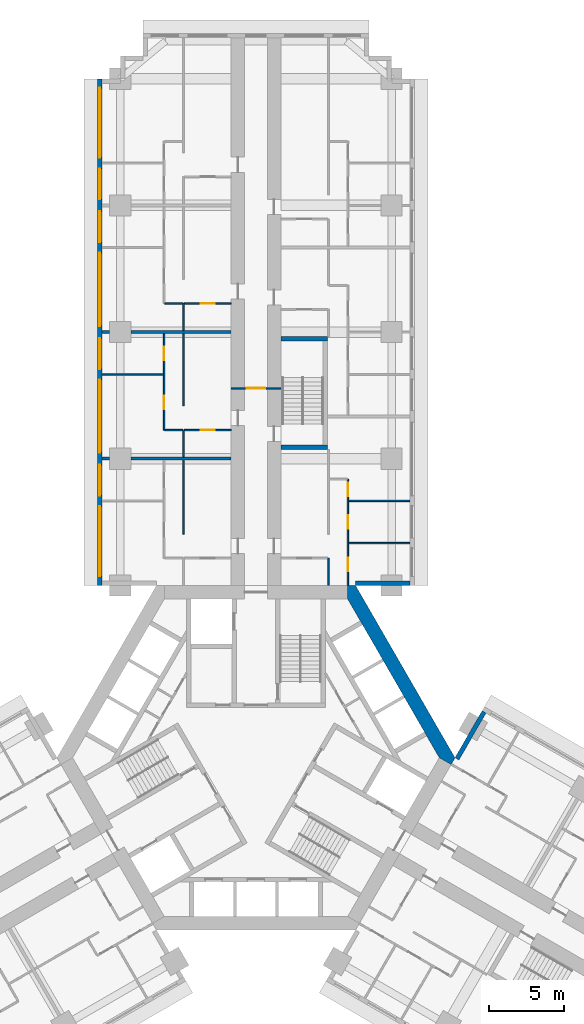
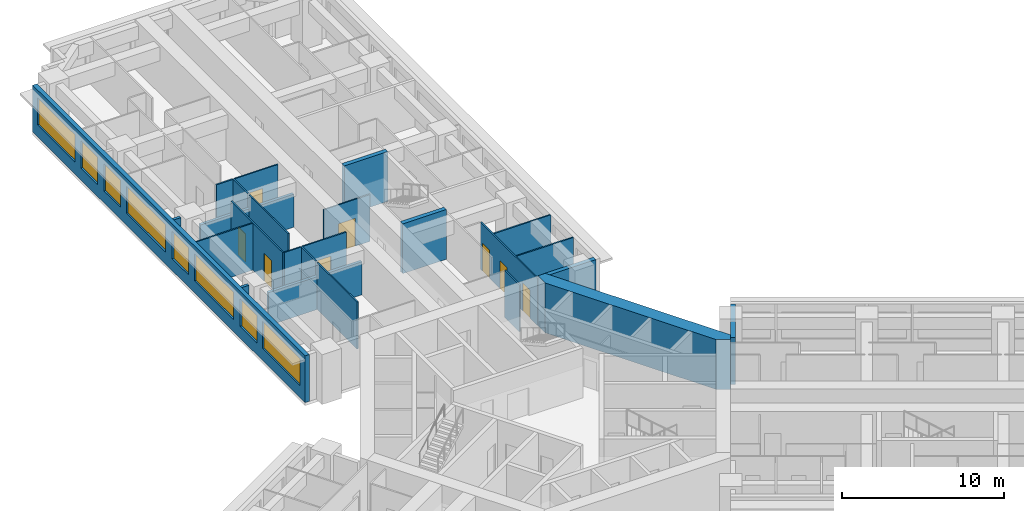
# One storey, part 9 of 16: 25 walls, 8 doors, 8 windows, 16 openings.
"""IFC4 building model written with IfcOpenShell, lengths in metres."""

from ifc_helpers import new_model, si_unit, direction, frame, frame_2d, origin, place, context, subcontext, project, spatial, polyline, rectangle, outline, extrude, material, layer, layer_set, type_object, element, fill, save


model = new_model("IFC4")

# Units and contexts
model_context = context("Model", 3, precision=1e-05, world=origin(), true_north=direction((0.0, 1.0)))
body_context = subcontext(model_context, "Body", "Model", "MODEL_VIEW")
ifc_project = project(units=[si_unit("LENGTHUNIT", "METRE"), si_unit("AREAUNIT", "SQUARE_METRE"), si_unit("VOLUMEUNIT", "CUBIC_METRE"), si_unit("PLANEANGLEUNIT", "RADIAN"), si_unit("MASSUNIT", "GRAM", prefix="KILO")], contexts=[model_context])

# Site, building, storey
site_placement = place(None, origin())
site = spatial("IfcSite", under=ifc_project, at=site_placement, CompositionType="ELEMENT")
building_placement = place(site_placement, origin())
building = spatial("IfcBuilding", under=site, at=building_placement, Name="Impinga Residences", CompositionType="ELEMENT")
storey_placement = place(building_placement, frame((0.0, 0.0, 78.5)))
storey = spatial("IfcBuildingStorey", under=building, at=storey_placement, Name="L19", CompositionType="ELEMENT", Elevation=78.5)

# Wall, opening, door
ifc_material_1 = material(Name="Concrete blockwork", Category="masonry")
ifc_layer_1 = layer(ifc_material_1, 0.10009765625)
ifc_layer_set_1 = layer_set([ifc_layer_1], Name="CP1 core room partition, blockwork 100")
wall_type_1 = type_object("IfcWallType", Name="CP1 core room partition, blockwork 100", PredefinedType="PARTITIONING", material=ifc_layer_set_1)
wall_1_placement = place(storey_placement, frame((-1.64990234375, 24.5, 0.0), z_axis=(0.0, 0.0, 1.0), x_axis=(1.0, 0.0, 0.0)))
wall_1 = element("IfcWall", 1, at=wall_1_placement, inside=storey, type_object=wall_type_1, Name="Core room partition, blockwork L19:N:SCR", PredefinedType="PARTITIONING", context=body_context, shape_type="SweptSolid", body=[
    extrude(rectangle(XDim=3.2998046875, YDim=0.10009765625, at=frame_2d((1.64990234375, 0.0))), origin(), (0.0, 0.0, 1.0), 3.530029296875),
])
opening_1_placement = place(wall_1_placement, frame((1.050048828125, 0.0, 0.0)))
opening_1 = element("IfcOpeningElement", 2, at=opening_1_placement, cuts=wall_1, Name="Opening D3", PredefinedType="OPENING", context=body_context, shape_type="SweptSolid", body=[
    extrude(rectangle(XDim=1.199951171875, YDim=2.10009765625, at=frame_2d((0.60009765625, 1.050048828125))), frame((0.0, 0.06005859375, 0.0), z_axis=(0.0, -1.0, 0.0), x_axis=(1.0, 0.0, 0.0)), (0.0, 0.0, 1.0), 0.1201171875),
])
ifc_material_2 = material(Name="Timber door set", Category="wood")
door_type_1 = type_object("IfcDoorType", Name="D3 room door, leaf and a half 1200x2100", OperationType="DOUBLE_SWING_LEFT", PredefinedType="DOOR", material=ifc_material_2)
door_1_placement = place(opening_1_placement, origin())
door_1 = element("IfcDoor", 3, at=door_1_placement, inside=storey, type_object=door_type_1, Name="Corridor smoke door N", OperationType="DOUBLE_SWING_LEFT", OverallHeight=2.10009765625, OverallWidth=1.199951171875, PredefinedType="DOOR", context=body_context, shape_type="SweptSolid", body=[
    extrude(rectangle(XDim=1.199951171875, YDim=2.10009765625, at=frame_2d((0.60009765625, 1.050048828125))), frame((0.0, 0.02490234375, 0.0), z_axis=(0.0, -1.0, 0.0), x_axis=(1.0, 0.0, 0.0)), (0.0, 0.0, 1.0), 0.050048828125),
])
fill(opening_1, door_1)

# Wall, openings, windows
ifc_material_3 = material(Name="Terracotta rainscreen on blockwork", Category="masonry")
ifc_layer_2 = layer(ifc_material_3, 0.300048828125)
ifc_layer_set_2 = layer_set([ifc_layer_2], Name="EW1 external wall, terracotta rainscreen on blockwork 300")
wall_type_2 = type_object("IfcWallType", Name="EW1 external wall, terracotta rainscreen on blockwork 300", PredefinedType="SOLIDWALL", material=ifc_layer_set_2)
wall_2_placement = place(storey_placement, frame((-10.35009765625, 11.431640625, 0.0), z_axis=(0.0, 0.0, 1.0), x_axis=(0.0, 1.0, 0.0)))
wall_2 = element("IfcWall", 4, at=wall_2_placement, inside=storey, type_object=wall_type_2, Name="External wall EW1 L19", PredefinedType="SOLIDWALL", context=body_context, shape_type="SweptSolid", body=[
    extrude(rectangle(XDim=33.599853515625, YDim=0.300048828125, at=frame_2d((16.7998046875, 0.0))), origin(), (0.0, 0.0, 1.0), 3.530029296875),
])
opening_2_placement = place(wall_2_placement, frame((0.60009765625, 0.0, 0.89990234375)))
opening_2 = element("IfcOpeningElement", 5, at=opening_2_placement, cuts=wall_2, Name="Opening W10", PredefinedType="OPENING", context=body_context, shape_type="SweptSolid", body=[
    extrude(rectangle(XDim=4.64990234375, YDim=2.050048828125, at=frame_2d((2.324951171875, 1.02490234375))), frame((0.0, 0.159912109375, 0.0), z_axis=(0.0, -1.0, 0.0), x_axis=(1.0, 0.0, 0.0)), (0.0, 0.0, 1.0), 0.320068359375),
])
opening_3_placement = place(wall_2_placement, frame((5.949951171875, 0.0, 0.89990234375)))
opening_3 = element("IfcOpeningElement", 6, at=opening_3_placement, cuts=wall_2, Name="Opening W14", PredefinedType="OPENING", context=body_context, shape_type="SweptSolid", body=[
    extrude(rectangle(XDim=2.050048828125, YDim=2.050048828125, at=frame_2d((1.02490234375, 1.02490234375))), frame((0.0, 0.159912109375, 0.0), z_axis=(0.0, -1.0, 0.0), x_axis=(1.0, 0.0, 0.0)), (0.0, 0.0, 1.0), 0.320068359375),
])
opening_4_placement = place(wall_2_placement, frame((8.800048828125, 0.0, 0.89990234375)))
opening_4 = element("IfcOpeningElement", 7, at=opening_4_placement, cuts=wall_2, Name="Opening W6", PredefinedType="OPENING", context=body_context, shape_type="SweptSolid", body=[
    extrude(rectangle(XDim=4.85009765625, YDim=2.050048828125, at=frame_2d((2.425048828125, 1.02490234375))), frame((0.0, 0.159912109375, 0.0), z_axis=(0.0, -1.0, 0.0), x_axis=(1.0, 0.0, 0.0)), (0.0, 0.0, 1.0), 0.320068359375),
])
opening_5_placement = place(wall_2_placement, frame((14.35009765625, 0.0, 0.89990234375)))
opening_5 = element("IfcOpeningElement", 8, at=opening_5_placement, cuts=wall_2, Name="Opening W14", PredefinedType="OPENING", context=body_context, shape_type="SweptSolid", body=[
    extrude(rectangle(XDim=2.050048828125, YDim=2.050048828125, at=frame_2d((1.02490234375, 1.02490234375))), frame((0.0, 0.159912109375, 0.0), z_axis=(0.0, -1.0, 0.0), x_axis=(1.0, 0.0, 0.0)), (0.0, 0.0, 1.0), 0.320068359375),
])
opening_6_placement = place(wall_2_placement, frame((17.199951171875, 0.0, 0.89990234375)))
opening_6 = element("IfcOpeningElement", 9, at=opening_6_placement, cuts=wall_2, Name="Opening W6", PredefinedType="OPENING", context=body_context, shape_type="SweptSolid", body=[
    extrude(rectangle(XDim=4.85009765625, YDim=2.050048828125, at=frame_2d((2.425048828125, 1.02490234375))), frame((0.0, 0.159912109375, 0.0), z_axis=(0.0, -1.0, 0.0), x_axis=(1.0, 0.0, 0.0)), (0.0, 0.0, 1.0), 0.320068359375),
])
opening_7_placement = place(wall_2_placement, frame((22.75, 0.0, 0.89990234375)))
opening_7 = element("IfcOpeningElement", 10, at=opening_7_placement, cuts=wall_2, Name="Opening W14", PredefinedType="OPENING", context=body_context, shape_type="SweptSolid", body=[
    extrude(rectangle(XDim=2.050048828125, YDim=2.050048828125, at=frame_2d((1.02490234375, 1.02490234375))), frame((0.0, 0.159912109375, 0.0), z_axis=(0.0, -1.0, 0.0), x_axis=(1.0, 0.0, 0.0)), (0.0, 0.0, 1.0), 0.320068359375),
])
opening_8_placement = place(wall_2_placement, frame((25.60009765625, 0.0, 0.89990234375)))
opening_8 = element("IfcOpeningElement", 11, at=opening_8_placement, cuts=wall_2, Name="Opening W14", PredefinedType="OPENING", context=body_context, shape_type="SweptSolid", body=[
    extrude(rectangle(XDim=2.050048828125, YDim=2.050048828125, at=frame_2d((1.02490234375, 1.02490234375))), frame((0.0, 0.159912109375, 0.0), z_axis=(0.0, -1.0, 0.0), x_axis=(1.0, 0.0, 0.0)), (0.0, 0.0, 1.0), 0.320068359375),
])
opening_9_placement = place(wall_2_placement, frame((28.35009765625, 0.0, 0.89990234375)))
opening_9 = element("IfcOpeningElement", 12, at=opening_9_placement, cuts=wall_2, Name="Opening W10", PredefinedType="OPENING", context=body_context, shape_type="SweptSolid", body=[
    extrude(rectangle(XDim=4.64990234375, YDim=2.050048828125, at=frame_2d((2.324951171875, 1.02490234375))), frame((0.0, 0.159912109375, 0.0), z_axis=(0.0, -1.0, 0.0), x_axis=(1.0, 0.0, 0.0)), (0.0, 0.0, 1.0), 0.320068359375),
])
ifc_material_4 = material(Name="Aluminium window, clear double glazing", Category="aluminium")
window_type_1 = type_object("IfcWindowType", Name="W10 ribbon window 4650x2050", PartitioningType="SINGLE_PANEL", PredefinedType="WINDOW", material=ifc_material_4)
window_1_placement = place(opening_2_placement, origin())
window_1 = element("IfcWindow", 13, at=window_1_placement, inside=storey, type_object=window_type_1, Name="Window L19", OverallHeight=2.050048828125, OverallWidth=4.64990234375, PartitioningType="SINGLE_PANEL", PredefinedType="WINDOW", context=body_context, shape_type="SweptSolid", body=[
    extrude(rectangle(XDim=4.64990234375, YDim=2.050048828125, at=frame_2d((2.324951171875, 1.02490234375))), frame((0.0, 0.030029296875, 0.0), z_axis=(0.0, -1.0, 0.0), x_axis=(1.0, 0.0, 0.0)), (0.0, 0.0, 1.0), 0.06005859375),
])
fill(opening_2, window_1)
window_2_placement = place(opening_9_placement, origin())
window_2 = element("IfcWindow", 14, at=window_2_placement, inside=storey, type_object=window_type_1, Name="Window L19", OverallHeight=2.050048828125, OverallWidth=4.64990234375, PartitioningType="SINGLE_PANEL", PredefinedType="WINDOW", context=body_context, shape_type="SweptSolid", body=[
    extrude(rectangle(XDim=4.64990234375, YDim=2.050048828125, at=frame_2d((2.324951171875, 1.02490234375))), frame((0.0, 0.030029296875, 0.0), z_axis=(0.0, -1.0, 0.0), x_axis=(1.0, 0.0, 0.0)), (0.0, 0.0, 1.0), 0.06005859375),
])
fill(opening_9, window_2)
window_type_2 = type_object("IfcWindowType", Name="W14 ribbon window 2050x2050", PartitioningType="SINGLE_PANEL", PredefinedType="WINDOW", material=ifc_material_4)
window_3_placement = place(opening_3_placement, origin())
window_3 = element("IfcWindow", 15, at=window_3_placement, inside=storey, type_object=window_type_2, Name="Window L19", OverallHeight=2.050048828125, OverallWidth=2.050048828125, PartitioningType="SINGLE_PANEL", PredefinedType="WINDOW", context=body_context, shape_type="SweptSolid", body=[
    extrude(rectangle(XDim=2.050048828125, YDim=2.050048828125, at=frame_2d((1.02490234375, 1.02490234375))), frame((0.0, 0.030029296875, 0.0), z_axis=(0.0, -1.0, 0.0), x_axis=(1.0, 0.0, 0.0)), (0.0, 0.0, 1.0), 0.06005859375),
])
fill(opening_3, window_3)
window_4_placement = place(opening_5_placement, origin())
window_4 = element("IfcWindow", 16, at=window_4_placement, inside=storey, type_object=window_type_2, Name="Window L19", OverallHeight=2.050048828125, OverallWidth=2.050048828125, PartitioningType="SINGLE_PANEL", PredefinedType="WINDOW", context=body_context, shape_type="SweptSolid", body=[
    extrude(rectangle(XDim=2.050048828125, YDim=2.050048828125, at=frame_2d((1.02490234375, 1.02490234375))), frame((0.0, 0.030029296875, 0.0), z_axis=(0.0, -1.0, 0.0), x_axis=(1.0, 0.0, 0.0)), (0.0, 0.0, 1.0), 0.06005859375),
])
fill(opening_5, window_4)
window_5_placement = place(opening_7_placement, origin())
window_5 = element("IfcWindow", 17, at=window_5_placement, inside=storey, type_object=window_type_2, Name="Window L19", OverallHeight=2.050048828125, OverallWidth=2.050048828125, PartitioningType="SINGLE_PANEL", PredefinedType="WINDOW", context=body_context, shape_type="SweptSolid", body=[
    extrude(rectangle(XDim=2.050048828125, YDim=2.050048828125, at=frame_2d((1.02490234375, 1.02490234375))), frame((0.0, 0.030029296875, 0.0), z_axis=(0.0, -1.0, 0.0), x_axis=(1.0, 0.0, 0.0)), (0.0, 0.0, 1.0), 0.06005859375),
])
fill(opening_7, window_5)
window_6_placement = place(opening_8_placement, origin())
window_6 = element("IfcWindow", 18, at=window_6_placement, inside=storey, type_object=window_type_2, Name="Window L19", OverallHeight=2.050048828125, OverallWidth=2.050048828125, PartitioningType="SINGLE_PANEL", PredefinedType="WINDOW", context=body_context, shape_type="SweptSolid", body=[
    extrude(rectangle(XDim=2.050048828125, YDim=2.050048828125, at=frame_2d((1.02490234375, 1.02490234375))), frame((0.0, 0.030029296875, 0.0), z_axis=(0.0, -1.0, 0.0), x_axis=(1.0, 0.0, 0.0)), (0.0, 0.0, 1.0), 0.06005859375),
])
fill(opening_8, window_6)
window_type_3 = type_object("IfcWindowType", Name="W6 ribbon window 4850x2050", PartitioningType="SINGLE_PANEL", PredefinedType="WINDOW", material=ifc_material_4)
window_7_placement = place(opening_4_placement, origin())
window_7 = element("IfcWindow", 19, at=window_7_placement, inside=storey, type_object=window_type_3, Name="Window L19", OverallHeight=2.050048828125, OverallWidth=4.85009765625, PartitioningType="SINGLE_PANEL", PredefinedType="WINDOW", context=body_context, shape_type="SweptSolid", body=[
    extrude(rectangle(XDim=4.85009765625, YDim=2.050048828125, at=frame_2d((2.425048828125, 1.02490234375))), frame((0.0, 0.030029296875, 0.0), z_axis=(0.0, -1.0, 0.0), x_axis=(1.0, 0.0, 0.0)), (0.0, 0.0, 1.0), 0.06005859375),
])
fill(opening_4, window_7)
window_8_placement = place(opening_6_placement, origin())
window_8 = element("IfcWindow", 20, at=window_8_placement, inside=storey, type_object=window_type_3, Name="Window L19", OverallHeight=2.050048828125, OverallWidth=4.85009765625, PartitioningType="SINGLE_PANEL", PredefinedType="WINDOW", context=body_context, shape_type="SweptSolid", body=[
    extrude(rectangle(XDim=4.85009765625, YDim=2.050048828125, at=frame_2d((2.425048828125, 1.02490234375))), frame((0.0, 0.030029296875, 0.0), z_axis=(0.0, -1.0, 0.0), x_axis=(1.0, 0.0, 0.0)), (0.0, 0.0, 1.0), 0.06005859375),
])
fill(opening_6, window_8)

# Walls
wall_3_placement = place(storey_placement, frame((10.199951171875, 11.58154296875, 0.0), z_axis=(0.0, 0.0, 1.0), x_axis=(-1.0, 0.0, 0.0)))
element("IfcWall", 21, at=wall_3_placement, inside=storey, type_object=wall_type_2, Name="External wall EW1 L19", PredefinedType="SOLIDWALL", context=body_context, shape_type="SweptSolid", body=[
    extrude(rectangle(XDim=3.599853515625, YDim=0.300048828125, at=frame_2d((1.7998046875, 0.0))), origin(), (0.0, 0.0, 1.0), 3.530029296875),
])
wall_4_placement = place(storey_placement, frame((13.329833984375, -0.074951171875, 0.0), z_axis=(0.0, 0.0, 1.0), x_axis=(0.500012057535, 0.866018442252, 0.0)))
element("IfcWall", 22, at=wall_4_placement, inside=storey, type_object=wall_type_2, Name="External wall EW1 L19", PredefinedType="SOLIDWALL", context=body_context, shape_type="SweptSolid", body=[
    extrude(rectangle(XDim=3.60009765625, YDim=0.300048828125, at=frame_2d((1.800048828125, 0.0))), origin(), (0.0, 0.0, 1.0), 3.530029296875),
])
ifc_material_5 = material(Name="Gypsum board on steel studs", Category="steel")
ifc_layer_3 = layer(ifc_material_5, 0.10009765625)
ifc_layer_set_3 = layer_set([ifc_layer_3], Name="Gypsum board on steel studs")
wall_type_3 = type_object("IfcWallType", Name="IP1 partition 100", PredefinedType="PARTITIONING", material=ifc_layer_set_3)
wall_5_placement = place(storey_placement, frame((-4.800048828125, 14.83154296875, 0.0), z_axis=(0.0, 0.0, 1.0), x_axis=(0.0, 1.0, 0.0)))
element("IfcWall", 23, at=wall_5_placement, inside=storey, type_object=wall_type_3, Name="Partition L19-NA1:DIV1", PredefinedType="PARTITIONING", context=body_context, shape_type="SweptSolid", body=[
    extrude(rectangle(XDim=4.89990234375, YDim=0.10009765625, at=frame_2d((2.449951171875, 0.0))), origin(), (0.0, 0.0, 1.0), 3.530029296875),
])
wall_6_placement = place(storey_placement, frame((-4.800048828125, 19.931640625, 0.0), z_axis=(0.0, 0.0, 1.0), x_axis=(0.0, 1.0, 0.0)))
element("IfcWall", 24, at=wall_6_placement, inside=storey, type_object=wall_type_3, Name="Partition L19-NA2:DIV0", PredefinedType="PARTITIONING", context=body_context, shape_type="SweptSolid", body=[
    extrude(rectangle(XDim=1.7998046875, YDim=0.10009765625, at=frame_2d((0.89990234375, 0.0))), origin(), (0.0, 0.0, 1.0), 3.530029296875),
])
wall_7_placement = place(storey_placement, frame((-4.800048828125, 23.33154296875, 0.0), z_axis=(0.0, 0.0, 1.0), x_axis=(0.0, 1.0, 0.0)))
element("IfcWall", 25, at=wall_7_placement, inside=storey, type_object=wall_type_3, Name="Partition L19-NA2:DIV1", PredefinedType="PARTITIONING", context=body_context, shape_type="SweptSolid", body=[
    extrude(rectangle(XDim=4.800048828125, YDim=0.10009765625, at=frame_2d((2.39990234375, 0.0))), origin(), (0.0, 0.0, 1.0), 3.530029296875),
])

# Wall, openings, doors
wall_8_placement = place(storey_placement, frame((-6.10009765625, 21.7314453125, 0.0), z_axis=(0.0, 0.0, 1.0), x_axis=(0.0, 1.0, 0.0)))
wall_8 = element("IfcWall", 26, at=wall_8_placement, inside=storey, type_object=wall_type_3, Name="Partition L19-NA2:STRIP", PredefinedType="PARTITIONING", context=body_context, shape_type="SweptSolid", body=[
    extrude(rectangle(XDim=6.400146484375, YDim=0.10009765625, at=frame_2d((3.2001953125, 0.0))), origin(), (0.0, 0.0, 1.0), 3.530029296875),
])
opening_10_placement = place(wall_8_placement, frame((1.375, 0.0, 0.0)))
opening_10 = element("IfcOpeningElement", 27, at=opening_10_placement, cuts=wall_8, Name="Opening D2", PredefinedType="OPENING", context=body_context, shape_type="SweptSolid", body=[
    extrude(rectangle(XDim=0.89990234375, YDim=2.10009765625, at=frame_2d((0.449951171875, 1.050048828125))), frame((0.0, 0.06005859375, 0.0), z_axis=(0.0, -1.0, 0.0), x_axis=(1.0, 0.0, 0.0)), (0.0, 0.0, 1.0), 0.1201171875),
])
opening_11_placement = place(wall_8_placement, frame((4.625, 0.0, 0.0)))
opening_11 = element("IfcOpeningElement", 28, at=opening_11_placement, cuts=wall_8, Name="Opening D2", PredefinedType="OPENING", context=body_context, shape_type="SweptSolid", body=[
    extrude(rectangle(XDim=0.89990234375, YDim=2.10009765625, at=frame_2d((0.449951171875, 1.050048828125))), frame((0.0, 0.06005859375, 0.0), z_axis=(0.0, -1.0, 0.0), x_axis=(1.0, 0.0, 0.0)), (0.0, 0.0, 1.0), 0.1201171875),
])
door_type_2 = type_object("IfcDoorType", Name="D2 internal door 900x2100", OperationType="SINGLE_SWING_LEFT", PredefinedType="DOOR", material=ifc_material_2)
door_2_placement = place(opening_10_placement, origin())
door_2 = element("IfcDoor", 29, at=door_2_placement, inside=storey, type_object=door_type_2, Name="Apartment L19-NA2 room door", OperationType="SINGLE_SWING_LEFT", OverallHeight=2.10009765625, OverallWidth=0.89990234375, PredefinedType="DOOR", context=body_context, shape_type="SweptSolid", body=[
    extrude(rectangle(XDim=0.89990234375, YDim=2.10009765625, at=frame_2d((0.449951171875, 1.050048828125))), frame((0.0, 0.02490234375, 0.0), z_axis=(0.0, -1.0, 0.0), x_axis=(1.0, 0.0, 0.0)), (0.0, 0.0, 1.0), 0.050048828125),
])
fill(opening_10, door_2)
door_3_placement = place(opening_11_placement, origin())
door_3 = element("IfcDoor", 30, at=door_3_placement, inside=storey, type_object=door_type_2, Name="Apartment L19-NA2 room door", OperationType="SINGLE_SWING_RIGHT", OverallHeight=2.10009765625, OverallWidth=0.89990234375, PredefinedType="DOOR", context=body_context, shape_type="SweptSolid", body=[
    extrude(rectangle(XDim=0.89990234375, YDim=2.10009765625, at=frame_2d((0.449951171875, 1.050048828125))), frame((0.0, 0.02490234375, 0.0), z_axis=(0.0, -1.0, 0.0), x_axis=(1.0, 0.0, 0.0)), (0.0, 0.0, 1.0), 0.050048828125),
])
fill(opening_11, door_3)

# Wall
wall_9_placement = place(storey_placement, frame((-4.85009765625, 21.7314453125, 0.0), z_axis=(0.0, 0.0, 1.0), x_axis=(-1.0, 0.0, 0.0)))
element("IfcWall", 31, at=wall_9_placement, inside=storey, type_object=wall_type_3, Name="Partition L19-NA2:SE0", PredefinedType="PARTITIONING", context=body_context, shape_type="SweptSolid", body=[
    extrude(rectangle(XDim=1.199951171875, YDim=0.10009765625, at=frame_2d((0.60009765625, 0.0))), origin(), (0.0, 0.0, 1.0), 3.530029296875),
])

# Wall, opening, door
wall_10_placement = place(storey_placement, frame((-1.64990234375, 21.7314453125, 0.0), z_axis=(0.0, 0.0, 1.0), x_axis=(-1.0, 0.0, 0.0)))
wall_10 = element("IfcWall", 32, at=wall_10_placement, inside=storey, type_object=wall_type_3, Name="Partition L19-NA2:IB1", PredefinedType="PARTITIONING", context=body_context, shape_type="SweptSolid", body=[
    extrude(rectangle(XDim=3.10009765625, YDim=0.10009765625, at=frame_2d((1.550048828125, 0.0))), origin(), (0.0, 0.0, 1.0), 3.530029296875),
])
opening_12_placement = place(wall_10_placement, frame((1.10009765625, 0.0, 0.0)))
opening_12 = element("IfcOpeningElement", 33, at=opening_12_placement, cuts=wall_10, Name="Opening D2", PredefinedType="OPENING", context=body_context, shape_type="SweptSolid", body=[
    extrude(rectangle(XDim=0.89990234375, YDim=2.10009765625, at=frame_2d((0.449951171875, 1.050048828125))), frame((0.0, 0.06005859375, 0.0), z_axis=(0.0, -1.0, 0.0), x_axis=(1.0, 0.0, 0.0)), (0.0, 0.0, 1.0), 0.1201171875),
])
door_4_placement = place(opening_12_placement, origin())
door_4 = element("IfcDoor", 34, at=door_4_placement, inside=storey, type_object=door_type_2, Name="Apartment L19-NA2 bathroom door", OperationType="SINGLE_SWING_LEFT", OverallHeight=2.10009765625, OverallWidth=0.89990234375, PredefinedType="DOOR", context=body_context, shape_type="SweptSolid", body=[
    extrude(rectangle(XDim=0.89990234375, YDim=2.10009765625, at=frame_2d((0.449951171875, 1.050048828125))), frame((0.0, 0.02490234375, 0.0), z_axis=(0.0, -1.0, 0.0), x_axis=(1.0, 0.0, 0.0)), (0.0, 0.0, 1.0), 0.050048828125),
])
fill(opening_12, door_4)

# Walls
wall_11_placement = place(storey_placement, frame((-6.14990234375, 25.431640625, 0.0), z_axis=(0.0, 0.0, 1.0), x_axis=(-1.0, 0.0, 0.0)))
element("IfcWall", 35, at=wall_11_placement, inside=storey, type_object=wall_type_3, Name="Partition L19-NA2:OB1", PredefinedType="PARTITIONING", context=body_context, shape_type="SweptSolid", body=[
    extrude(rectangle(XDim=4.050048828125, YDim=0.10009765625, at=frame_2d((2.02490234375, 0.0))), origin(), (0.0, 0.0, 1.0), 3.530029296875),
])
wall_12_placement = place(storey_placement, frame((-4.800048828125, 28.33154296875, 0.0), z_axis=(0.0, 0.0, 1.0), x_axis=(0.0, 1.0, 0.0)))
element("IfcWall", 36, at=wall_12_placement, inside=storey, type_object=wall_type_3, Name="Partition L19-NA3:DIV0", PredefinedType="PARTITIONING", context=body_context, shape_type="SweptSolid", body=[
    extrude(rectangle(XDim=1.800048828125, YDim=0.10009765625, at=frame_2d((0.89990234375, 0.0))), origin(), (0.0, 0.0, 1.0), 3.530029296875),
])
wall_13_placement = place(storey_placement, frame((-4.85009765625, 30.131591796875, 0.0), z_axis=(0.0, 0.0, 1.0), x_axis=(-1.0, 0.0, 0.0)))
element("IfcWall", 37, at=wall_13_placement, inside=storey, type_object=wall_type_3, Name="Partition L19-NA3:SE0", PredefinedType="PARTITIONING", context=body_context, shape_type="SweptSolid", body=[
    extrude(rectangle(XDim=1.199951171875, YDim=0.10009765625, at=frame_2d((0.60009765625, 0.0))), origin(), (0.0, 0.0, 1.0), 3.530029296875),
])

# Wall, opening, door
wall_14_placement = place(storey_placement, frame((-1.64990234375, 30.131591796875, 0.0), z_axis=(0.0, 0.0, 1.0), x_axis=(-1.0, 0.0, 0.0)))
wall_14 = element("IfcWall", 38, at=wall_14_placement, inside=storey, type_object=wall_type_3, Name="Partition L19-NA3:IB1", PredefinedType="PARTITIONING", context=body_context, shape_type="SweptSolid", body=[
    extrude(rectangle(XDim=3.10009765625, YDim=0.10009765625, at=frame_2d((1.550048828125, 0.0))), origin(), (0.0, 0.0, 1.0), 3.530029296875),
])
opening_13_placement = place(wall_14_placement, frame((1.10009765625, 0.0, 0.0)))
opening_13 = element("IfcOpeningElement", 39, at=opening_13_placement, cuts=wall_14, Name="Opening D2", PredefinedType="OPENING", context=body_context, shape_type="SweptSolid", body=[
    extrude(rectangle(XDim=0.89990234375, YDim=2.10009765625, at=frame_2d((0.449951171875, 1.050048828125))), frame((0.0, 0.06005859375, 0.0), z_axis=(0.0, -1.0, 0.0), x_axis=(1.0, 0.0, 0.0)), (0.0, 0.0, 1.0), 0.1201171875),
])
door_5_placement = place(opening_13_placement, origin())
door_5 = element("IfcDoor", 40, at=door_5_placement, inside=storey, type_object=door_type_2, Name="Apartment L19-NA3 bathroom door", OperationType="SINGLE_SWING_LEFT", OverallHeight=2.10009765625, OverallWidth=0.89990234375, PredefinedType="DOOR", context=body_context, shape_type="SweptSolid", body=[
    extrude(rectangle(XDim=0.89990234375, YDim=2.10009765625, at=frame_2d((0.449951171875, 1.050048828125))), frame((0.0, 0.02490234375, 0.0), z_axis=(0.0, -1.0, 0.0), x_axis=(1.0, 0.0, 0.0)), (0.0, 0.0, 1.0), 0.050048828125),
])
fill(opening_13, door_5)

# Wall
wall_15_placement = place(storey_placement, frame((4.800048828125, 11.431640625, 0.0), z_axis=(0.0, 0.0, 1.0), x_axis=(0.0, 1.0, 0.0)))
element("IfcWall", 41, at=wall_15_placement, inside=storey, type_object=wall_type_3, Name="Partition L19-NF1:DIV0", PredefinedType="PARTITIONING", context=body_context, shape_type="SweptSolid", body=[
    extrude(rectangle(XDim=1.7998046875, YDim=0.10009765625, at=frame_2d((0.89990234375, 0.0))), origin(), (0.0, 0.0, 1.0), 3.530029296875),
])

# Wall, openings, doors
wall_16_placement = place(storey_placement, frame((6.10009765625, 11.431640625, 0.0), z_axis=(0.0, 0.0, 1.0), x_axis=(0.0, 1.0, 0.0)))
wall_16 = element("IfcWall", 42, at=wall_16_placement, inside=storey, type_object=wall_type_3, Name="Partition L19-NF1:STRIP", PredefinedType="PARTITIONING", context=body_context, shape_type="SweptSolid", body=[
    extrude(rectangle(XDim=7.0498046875, YDim=0.10009765625, at=frame_2d((3.52490234375, 0.0))), origin(), (0.0, 0.0, 1.0), 3.530029296875),
])
opening_14_placement = place(wall_16_placement, frame((0.925048828125, 0.0, 0.0)))
opening_14 = element("IfcOpeningElement", 43, at=opening_14_placement, cuts=wall_16, Name="Opening D2", PredefinedType="OPENING", context=body_context, shape_type="SweptSolid", body=[
    extrude(rectangle(XDim=0.89990234375, YDim=2.10009765625, at=frame_2d((0.449951171875, 1.050048828125))), frame((0.0, 0.06005859375, 0.0), z_axis=(0.0, -1.0, 0.0), x_axis=(1.0, 0.0, 0.0)), (0.0, 0.0, 1.0), 0.1201171875),
])
opening_15_placement = place(wall_16_placement, frame((3.75, 0.0, 0.0)))
opening_15 = element("IfcOpeningElement", 44, at=opening_15_placement, cuts=wall_16, Name="Opening D2", PredefinedType="OPENING", context=body_context, shape_type="SweptSolid", body=[
    extrude(rectangle(XDim=0.89990234375, YDim=2.10009765625, at=frame_2d((0.449951171875, 1.050048828125))), frame((0.0, 0.06005859375, 0.0), z_axis=(0.0, -1.0, 0.0), x_axis=(1.0, 0.0, 0.0)), (0.0, 0.0, 1.0), 0.1201171875),
])
opening_16_placement = place(wall_16_placement, frame((5.89990234375, 0.0, 0.0)))
opening_16 = element("IfcOpeningElement", 45, at=opening_16_placement, cuts=wall_16, Name="Opening D2", PredefinedType="OPENING", context=body_context, shape_type="SweptSolid", body=[
    extrude(rectangle(XDim=0.89990234375, YDim=2.10009765625, at=frame_2d((0.449951171875, 1.050048828125))), frame((0.0, 0.06005859375, 0.0), z_axis=(0.0, -1.0, 0.0), x_axis=(1.0, 0.0, 0.0)), (0.0, 0.0, 1.0), 0.1201171875),
])
door_6_placement = place(opening_14_placement, origin())
door_6 = element("IfcDoor", 46, at=door_6_placement, inside=storey, type_object=door_type_2, Name="Apartment L19-NF1 room door", OperationType="SINGLE_SWING_LEFT", OverallHeight=2.10009765625, OverallWidth=0.89990234375, PredefinedType="DOOR", context=body_context, shape_type="SweptSolid", body=[
    extrude(rectangle(XDim=0.89990234375, YDim=2.10009765625, at=frame_2d((0.449951171875, 1.050048828125))), frame((0.0, 0.02490234375, 0.0), z_axis=(0.0, -1.0, 0.0), x_axis=(1.0, 0.0, 0.0)), (0.0, 0.0, 1.0), 0.050048828125),
])
fill(opening_14, door_6)
door_7_placement = place(opening_15_placement, origin())
door_7 = element("IfcDoor", 47, at=door_7_placement, inside=storey, type_object=door_type_2, Name="Apartment L19-NF1 room door", OperationType="SINGLE_SWING_RIGHT", OverallHeight=2.10009765625, OverallWidth=0.89990234375, PredefinedType="DOOR", context=body_context, shape_type="SweptSolid", body=[
    extrude(rectangle(XDim=0.89990234375, YDim=2.10009765625, at=frame_2d((0.449951171875, 1.050048828125))), frame((0.0, 0.02490234375, 0.0), z_axis=(0.0, -1.0, 0.0), x_axis=(1.0, 0.0, 0.0)), (0.0, 0.0, 1.0), 0.050048828125),
])
fill(opening_15, door_7)
door_8_placement = place(opening_16_placement, origin())
door_8 = element("IfcDoor", 48, at=door_8_placement, inside=storey, type_object=door_type_2, Name="Apartment L19-NF1 room door", OperationType="SINGLE_SWING_RIGHT", OverallHeight=2.10009765625, OverallWidth=0.89990234375, PredefinedType="DOOR", context=body_context, shape_type="SweptSolid", body=[
    extrude(rectangle(XDim=0.89990234375, YDim=2.10009765625, at=frame_2d((0.449951171875, 1.050048828125))), frame((0.0, 0.02490234375, 0.0), z_axis=(0.0, -1.0, 0.0), x_axis=(1.0, 0.0, 0.0)), (0.0, 0.0, 1.0), 0.050048828125),
])
fill(opening_16, door_8)

# Walls
for number, where, z_axis, x_axis, name in (
    (49, (6.14990234375, 14.2314453125, 0.0), (0.0, 0.0, 1.0), (1.0, 0.0, 0.0), "Partition L19-NF1:OB1"),
    (50, (6.14990234375, 17.031494140625, 0.0), (0.0, 0.0, 1.0), (1.0, 0.0, 0.0), "Partition L19-NF1:OB2"),
):
    element("IfcWall", number, at=place(storey_placement, frame(where, z_axis=z_axis, x_axis=x_axis)), inside=storey, type_object=wall_type_3, Name=name, PredefinedType="PARTITIONING", context=body_context, shape_type="SweptSolid", body=[
        extrude(rectangle(XDim=4.050048828125, YDim=0.10009765625, at=frame_2d((2.02490234375, 0.0))), origin(), (0.0, 0.0, 1.0), 3.530029296875),
    ])
ifc_layer_4 = layer(ifc_material_1, 0.199951171875)
ifc_layer_set_4 = layer_set([ifc_layer_4], Name="PW1 party wall between apartments 200")
wall_type_4 = type_object("IfcWallType", Name="PW1 party wall between apartments 200", PredefinedType="SOLIDWALL", material=ifc_layer_set_4)
wall_17_placement = place(storey_placement, frame((-1.64990234375, 19.83154296875, 0.0), z_axis=(0.0, 0.0, 1.0), x_axis=(-1.0, 0.0, 0.0)))
element("IfcWall", 51, at=wall_17_placement, inside=storey, type_object=wall_type_4, Name="Party wall between apartments L19-NA1:PARTY", PredefinedType="SOLIDWALL", context=body_context, shape_type="SweptSolid", body=[
    extrude(rectangle(XDim=6.650146484375, YDim=0.199951171875, at=frame_2d((3.3251953125, 0.0))), origin(), (0.0, 0.0, 1.0), 2.47998046875),
])
wall_18_placement = place(storey_placement, frame((-9.699951171875, 19.83154296875, 0.0), z_axis=(0.0, 0.0, 1.0), x_axis=(-1.0, 0.0, 0.0)))
element("IfcWall", 52, at=wall_18_placement, inside=storey, type_object=wall_type_4, Name="Party wall between apartments L19-NA1:PARTYb", PredefinedType="SOLIDWALL", context=body_context, shape_type="SweptSolid", body=[
    extrude(rectangle(XDim=0.5, YDim=0.199951171875, at=frame_2d((0.25, 0.0))), origin(), (0.0, 0.0, 1.0), 3.530029296875),
])
wall_19_placement = place(storey_placement, frame((-1.64990234375, 28.2314453125, 0.0), z_axis=(0.0, 0.0, 1.0), x_axis=(-1.0, 0.0, 0.0)))
element("IfcWall", 53, at=wall_19_placement, inside=storey, type_object=wall_type_4, Name="Party wall between apartments L19-NA2:PARTY", PredefinedType="SOLIDWALL", context=body_context, shape_type="SweptSolid", body=[
    extrude(rectangle(XDim=6.650146484375, YDim=0.199951171875, at=frame_2d((3.3251953125, 0.0))), origin(), (0.0, 0.0, 1.0), 2.47998046875),
])
wall_20_placement = place(storey_placement, frame((-9.699951171875, 28.2314453125, 0.0), z_axis=(0.0, 0.0, 1.0), x_axis=(-1.0, 0.0, 0.0)))
element("IfcWall", 54, at=wall_20_placement, inside=storey, type_object=wall_type_4, Name="Party wall between apartments L19-NA2:PARTYb", PredefinedType="SOLIDWALL", context=body_context, shape_type="SweptSolid", body=[
    extrude(rectangle(XDim=0.5, YDim=0.199951171875, at=frame_2d((0.25, 0.0))), origin(), (0.0, 0.0, 1.0), 3.530029296875),
])
ifc_material_6 = material(Name="Concrete C60/75", Category="concrete")
ifc_layer_5 = layer(ifc_material_6, 0.300048828125)
ifc_layer_set_5 = layer_set([ifc_layer_5], Name="Concrete C60/75")
wall_type_5 = type_object("IfcWallType", Name="SE1 wing stair enclosure wall 300", PredefinedType="SOLIDWALL", material=ifc_layer_set_5)
for number, where, z_axis, x_axis, name in (
    (55, (1.64990234375, 20.58154296875, 0.0), (0.0, 0.0, 1.0), (1.0, 0.0, 0.0), "Stair enclosure wall SE1 N END0 L19"),
    (56, (1.64990234375, 27.781494140625, 0.0), (0.0, 0.0, 1.0), (1.0, 0.0, 0.0), "Stair enclosure wall SE1 N END1 L19"),
):
    element("IfcWall", number, at=place(storey_placement, frame(where, z_axis=z_axis, x_axis=x_axis)), inside=storey, type_object=wall_type_5, Name=name, PredefinedType="SOLIDWALL", context=body_context, shape_type="SweptSolid", body=[
        extrude(rectangle(XDim=3.10009765625, YDim=0.300048828125, at=frame_2d((1.550048828125, 0.0))), origin(), (0.0, 0.0, 1.0), 3.75),
    ])
ifc_material_7 = material(Name="Concrete C70/85", Category="concrete")
ifc_layer_6 = layer(ifc_material_7, 0.89990234375)
ifc_layer_set_6 = layer_set([ifc_layer_6], Name="Concrete C70/85")
wall_type_6 = type_object("IfcWallType", Name="SW1 core wall 900", PredefinedType="SHEAR", material=ifc_layer_set_6)
wall_21_placement = place(storey_placement, origin())
element("IfcWall", 57, at=wall_21_placement, inside=storey, type_object=wall_type_6, Name="Core wall SW1 W:EXPOSED L19", PredefinedType="SHEAR", context=body_context, shape_type="SweptSolid", body=[
    extrude(outline(polyline([(13.199951171875, 0.0), (6.60009765625, 11.431640625), (6.080322265625, 11.431640625), (6.080322265625, 10.531494140625), (12.160888671875, 0.0), (12.940185546875, -0.449951171875), (13.199951171875, 0.0)])), origin(), (0.0, 0.0, 1.0), 3.75),
])

save(model, "model.ifc")
